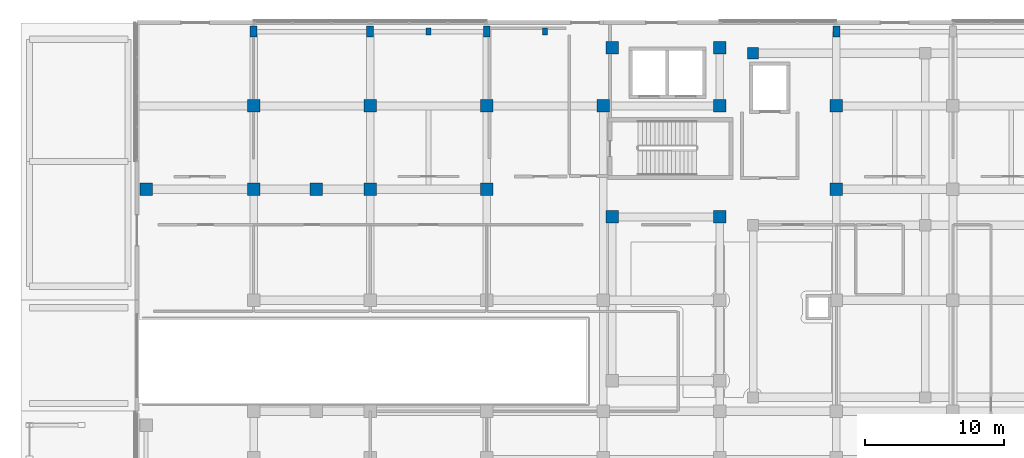
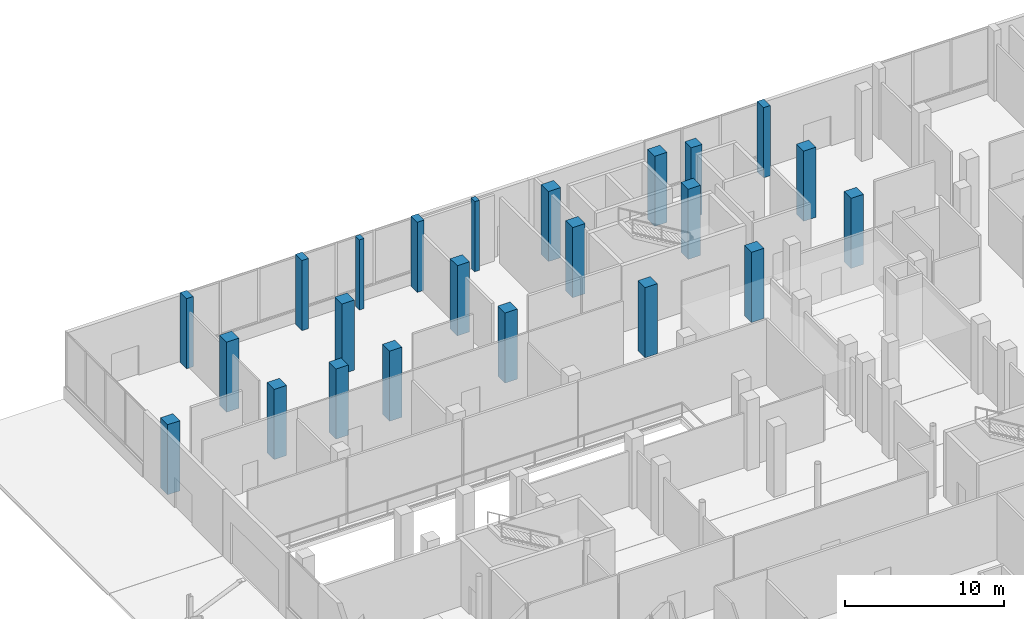
# One storey, part 10 of 158: 23 columns.
"""IFC4 building model written with IfcOpenShell, lengths in metres."""

import ifcopenshell
import ifcopenshell.guid

model = None  # the IFC model being written
_history = None  # IfcOwnerHistory: only IFC2X3 demands one
_inside = {}  # id of a spatial element -> (the spatial element, [elements in it])
_under = {}  # id of a project, library or spatial element -> (it, [spatial elements below it])
_declared = {}  # id of a project -> (the project, [libraries it declares])
_typed = {}  # id of a type object -> (the type object, [elements of that type])
_made_of = {}  # id of a material, layer set ... -> (it, [elements and type objects made of it])


def new_model(schema):
    """Start an empty IFC model of exactly this schema.

    Asked for "IFC4X3", IfcOpenShell would pick the latest addendum, in which some entities
    have other attributes; the version numbers below select the first issue.
    IFC2X3 requires an IfcOwnerHistory on every rooted entity: one is made here for all.
    """
    global model, _history
    if schema == "IFC4X3":
        model = ifcopenshell.file(schema_version=(4, 3, 0, 0))
    else:
        model = ifcopenshell.file(schema=schema)
    _inside.clear()
    _under.clear()
    _declared.clear()
    _typed.clear()
    _made_of.clear()
    _history = None
    if model.schema == "IFC2X3":
        org = make("IfcOrganization", Name="unknown")
        user = make(
            "IfcPersonAndOrganization",
            ThePerson=make("IfcPerson", FamilyName="unknown"),
            TheOrganization=org,
        )
        app = make(
            "IfcApplication",
            ApplicationDeveloper=org,
            Version="unknown",
            ApplicationFullName="unknown",
            ApplicationIdentifier="unknown",
        )
        _history = make(
            "IfcOwnerHistory",
            OwningUser=user,
            OwningApplication=app,
            ChangeAction="ADDED",
            CreationDate=0,
        )
    return model


def make(cls, **values):
    """One entity of the class cls with the attributes given. An attribute that is None is left unset."""
    return model.create_entity(
        cls, **{name: value for name, value in values.items() if value is not None}
    )


def rooted(cls, **values):
    """An entity with a GlobalId (a new one), such as an element, a storey or a relation."""
    return make(cls, GlobalId=ifcopenshell.guid.new(), OwnerHistory=_history, **values)


def si_unit(unit_type, name, prefix=None):
    """IfcSIUnit, for example si_unit("LENGTHUNIT", "METRE", prefix="MILLI")."""
    return make("IfcSIUnit", UnitType=unit_type, Prefix=prefix, Name=name)


def assignment(units):
    """IfcUnitAssignment: the units of a project."""
    return None if units is None else make("IfcUnitAssignment", Units=units)


def point(xyz):
    """IfcCartesianPoint."""
    return None if xyz is None else make("IfcCartesianPoint", Coordinates=xyz)


def direction(xyz):
    """IfcDirection."""
    return None if xyz is None else make("IfcDirection", DirectionRatios=xyz)


def frame(location, z_axis=None, x_axis=None):
    """IfcAxis2Placement3D, a coordinate frame: its origin and axes. An axis left out is left unset."""
    return make(
        "IfcAxis2Placement3D",
        Location=point(location),
        Axis=direction(z_axis),
        RefDirection=direction(x_axis),
    )


def frame_2d(location, x_axis=None):
    """IfcAxis2Placement2D, a coordinate frame in the plane: its origin and x axis."""
    return make(
        "IfcAxis2Placement2D", Location=point(location), RefDirection=direction(x_axis)
    )


def origin():
    """The frame at (0, 0, 0) with its axes left unset."""
    return frame((0.0, 0.0, 0.0))


def origin_2d():
    """The frame at (0, 0) in the plane with its x axis left unset."""
    return frame_2d((0.0, 0.0))


def place(relative_to, where):
    """IfcLocalPlacement: puts the frame where relative to a parent placement (None: the world)."""
    return make(
        "IfcLocalPlacement", PlacementRelTo=relative_to, RelativePlacement=where
    )


def context(
    kind, dimensions, precision=None, world=None, true_north=None, identifier=None
):
    """IfcGeometricRepresentationContext, for example the 3D "Model" context."""
    return make(
        "IfcGeometricRepresentationContext",
        ContextIdentifier=identifier,
        ContextType=kind,
        CoordinateSpaceDimension=dimensions,
        Precision=precision,
        WorldCoordinateSystem=world,
        TrueNorth=true_north,
    )


def subcontext(parent, identifier, kind, view, scale=None):
    """IfcGeometricRepresentationSubContext, for example "Body" below "Model"."""
    return make(
        "IfcGeometricRepresentationSubContext",
        ContextIdentifier=identifier,
        ContextType=kind,
        ParentContext=parent,
        TargetScale=scale,
        TargetView=view,
    )


def project(units=None, contexts=None):
    """IfcProject with its units and contexts."""
    return rooted(
        "IfcProject",
        Name="project",
        RepresentationContexts=contexts,
        UnitsInContext=assignment(units),
    )


def spatial(cls, under=None, at=None, **own):
    """A site, building, storey or space (cls), placed at a placement, below another one or the project."""
    s = rooted(cls, ObjectPlacement=at, **own)
    if under is not None:
        _under.setdefault(under.id(), (under, []))[1].append(s)
    return s


def profile(cls, at=None, kind="AREA", **sizes):
    """A parametric profile (cls). Its sizes go by their IFC names, for example OverallWidth=200.0."""
    return make(cls, ProfileType=kind, Position=at, **sizes)


def rectangle(**sizes):
    """IfcRectangleProfileDef."""
    return profile("IfcRectangleProfileDef", **sizes)


def extrude(swept, where, along, depth):
    """IfcExtrudedAreaSolid: the profile swept, set in the frame where, extruded along a direction by depth."""
    return make(
        "IfcExtrudedAreaSolid",
        SweptArea=swept,
        Position=where,
        ExtrudedDirection=direction(along),
        Depth=depth,
    )


def shape(context_of_items, identifier, shape_type, items):
    """IfcShapeRepresentation: the items that make up one representation, for example the "Body"."""
    return make(
        "IfcShapeRepresentation",
        ContextOfItems=context_of_items,
        RepresentationIdentifier=identifier,
        RepresentationType=shape_type,
        Items=items,
    )


def material(Name=None, Category=None):
    """IfcMaterial."""
    return make("IfcMaterial", Name=Name, Category=Category)


def material_profile(
    of_material, cross_section, Name=None, Category=None, Priority=None
):
    """IfcMaterialProfile: a cross section and its material."""
    return make(
        "IfcMaterialProfile",
        Name=Name,
        Material=of_material,
        Profile=cross_section,
        Priority=Priority,
        Category=Category,
    )


def profile_set(profiles, Name=None, composite=None):
    """IfcMaterialProfileSet."""
    return make(
        "IfcMaterialProfileSet",
        Name=Name,
        MaterialProfiles=profiles,
        CompositeProfile=composite,
    )


def made_of(thing, what):
    """Note that an element or type object is made of a material, layer set ...; save() writes the relation."""
    if what is not None:
        _made_of.setdefault(what.id(), (what, []))[1].append(thing)
    return thing


def type_object(cls, material=None, **own):
    """A type object (cls), such as IfcWallType, which elements share."""
    return made_of(rooted(cls, **own), material)


def element(
    cls,
    number,
    at=None,
    inside=None,
    cuts=None,
    type_object=None,
    material=None,
    context=None,
    identifier="Body",
    shape_type=None,
    held_by="IfcProductDefinitionShape",
    body=None,
    shapes=None,
    **own,
):
    """One element of the class cls, such as IfcWall. Its Tag is "e" and its number.

    at: its placement. inside: the storey or other place that contains it. cuts: it is an
    opening in that element (IfcRelVoidsElement). A single representation is given by context,
    identifier, shape_type and body (its items); several are given by shapes. held_by: the class
    of the entity that holds the representations. save() writes the other relations.
    """
    e = rooted(cls, Tag="e%d" % number, ObjectPlacement=at, **own)
    if body is not None:
        shapes = [shape(context, identifier, shape_type, body)]
    if shapes is not None:
        e.Representation = make(held_by, Representations=shapes)
    if inside is not None:
        _inside.setdefault(inside.id(), (inside, []))[1].append(e)
    if cuts is not None:
        rooted(
            "IfcRelVoidsElement", RelatingBuildingElement=cuts, RelatedOpeningElement=e
        )
    if type_object is not None:
        _typed.setdefault(type_object.id(), (type_object, []))[1].append(e)
    return made_of(e, material)


def aggregate(whole, parts):
    """IfcRelAggregates: a whole, such as a stair, and the parts it consists of."""
    return rooted("IfcRelAggregates", RelatingObject=whole, RelatedObjects=parts)


def save(model, path):
    """Write the relations noted so far, then the file.

    IfcRelAggregates (storeys below a building ...), IfcRelContainedInSpatialStructure (elements
    in a storey), IfcRelDefinesByType, IfcRelAssociatesMaterial and IfcRelDeclares: one each for
    every whole, place, type object, material and project.
    """
    for whole, parts in _under.values():
        aggregate(whole, parts)
    for where, things in _inside.values():
        rooted(
            "IfcRelContainedInSpatialStructure",
            RelatedElements=things,
            RelatingStructure=where,
        )
    for kind, things in _typed.values():
        rooted("IfcRelDefinesByType", RelatedObjects=things, RelatingType=kind)
    for what, things in _made_of.values():
        rooted("IfcRelAssociatesMaterial", RelatedObjects=things, RelatingMaterial=what)
    for by, libraries in _declared.values():
        rooted("IfcRelDeclares", RelatingContext=by, RelatedDefinitions=libraries)
    model.write(path)


model = new_model("IFC4")

# Units and contexts
model_context = context("Model", 3, precision=1e-05, world=origin(), true_north=direction((0.0, 1.0)))
body_context = subcontext(model_context, "Body", "Model", "MODEL_VIEW")
ifc_project = project(units=[si_unit("LENGTHUNIT", "METRE"), si_unit("AREAUNIT", "SQUARE_METRE"), si_unit("VOLUMEUNIT", "CUBIC_METRE"), si_unit("PLANEANGLEUNIT", "RADIAN"), si_unit("MASSUNIT", "GRAM", prefix="KILO")], contexts=[model_context])

# Site, building, storey
site_placement = place(None, origin())
site = spatial("IfcSite", under=ifc_project, at=site_placement, CompositionType="ELEMENT")
building_placement = place(site_placement, origin())
building = spatial("IfcBuilding", under=site, at=building_placement, Name="Selatvlak General Hospital", CompositionType="ELEMENT")
storey_placement = place(building_placement, origin())
storey = spatial("IfcBuildingStorey", under=building, at=storey_placement, Name="L00", CompositionType="ELEMENT", Elevation=0.0)

# Columns
ifc_material_1 = material(Name="Concrete C40/50", Category="concrete")
ifc_material_profile_1 = material_profile(ifc_material_1, rectangle(XDim=0.35009765625, YDim=0.5, at=origin_2d()), Name="RC-PIL 500x350")
ifc_profile_set_1 = profile_set([ifc_material_profile_1], Name="Concrete C40/50")
column_type_1 = type_object("IfcColumnType", Name="COL-PIL50", PredefinedType="PILASTER", material=ifc_profile_set_1)
for number, where, z_axis, x_axis, name in (
    (1, (35.39990234375, 119.35009765625, 0.0), (0.0, 0.0, 1.0), (1.0, 0.0, 0.0), "Inboard core pilaster 1 on L00"),
    (2, (43.800048828125, 119.35009765625, 0.0), (0.0, 0.0, 1.0), (1.0, 0.0, 0.0), "Inboard core pilaster 2 on L00"),
):
    element("IfcColumn", number, at=place(storey_placement, frame(where, z_axis=z_axis, x_axis=x_axis)), inside=storey, type_object=column_type_1, Name=name, PredefinedType="PILASTER", context=body_context, shape_type="SweptSolid", body=[
        extrude(rectangle(XDim=0.35009765625, YDim=0.5, at=origin_2d()), origin(), (0.0, 0.0, 1.0), 5.39990234375),
    ])
ifc_material_2 = material(Name="Concrete C50/60", Category="concrete")
ifc_material_profile_2 = material_profile(ifc_material_2, rectangle(XDim=0.800048828125, YDim=0.800048828125, at=origin_2d()), Name="RC-COL 800x800")
ifc_profile_set_2 = profile_set([ifc_material_profile_2], Name="Concrete C50/60")
column_type_2 = type_object("IfcColumnType", Name="COL-RC80", PredefinedType="COLUMN", material=ifc_profile_set_2)
column_placement = place(storey_placement, frame((58.800048828125, 117.800048828125, 0.0), z_axis=(0.0, 0.0, 1.0), x_axis=(1.0, 0.0, 0.0)))
element("IfcColumn", 3, at=column_placement, inside=storey, type_object=column_type_2, Name="Column 039 on L00", PredefinedType="COLUMN", context=body_context, shape_type="SweptSolid", body=[
    extrude(rectangle(XDim=0.800048828125, YDim=0.800048828125, at=origin_2d()), origin(), (0.0, 0.0, 1.0), 5.39990234375),
])
ifc_material_profile_3 = material_profile(ifc_material_2, rectangle(XDim=0.5, YDim=0.800048828125, at=origin_2d()), Name="RC-COL 800x500")
ifc_profile_set_3 = profile_set([ifc_material_profile_3], Name="Concrete C50/60")
column_type_3 = type_object("IfcColumnType", Name="COL-RC85", PredefinedType="COLUMN", material=ifc_profile_set_3)
for number, where, z_axis, x_axis, name in (
    (4, (22.800048828125, 119.35009765625, 0.0), (0.0, 0.0, 1.0), (1.0, 0.0, 0.0), "Column 163 on L00"),
    (5, (31.199951171875, 119.35009765625, 0.0), (0.0, 0.0, 1.0), (1.0, 0.0, 0.0), "Column 169 on L00"),
    (6, (39.60009765625, 119.35009765625, 0.0), (0.0, 0.0, 1.0), (1.0, 0.0, 0.0), "Column 175 on L00"),
    (7, (64.800048828125, 119.35009765625, 0.0), (0.0, 0.0, 1.0), (1.0, 0.0, 0.0), "Column 191 on L00"),
):
    element("IfcColumn", number, at=place(storey_placement, frame(where, z_axis=z_axis, x_axis=x_axis)), inside=storey, type_object=column_type_3, Name=name, PredefinedType="COLUMN", context=body_context, shape_type="SweptSolid", body=[
        extrude(rectangle(XDim=0.5, YDim=0.800048828125, at=origin_2d()), origin(), (0.0, 0.0, 1.0), 5.39990234375),
    ])
ifc_material_profile_4 = material_profile(ifc_material_2, rectangle(XDim=0.89990234375, YDim=0.89990234375, at=origin_2d()), Name="RC-COL 900x900")
ifc_profile_set_4 = profile_set([ifc_material_profile_4], Name="Concrete C50/60")
column_type_4 = type_object("IfcColumnType", Name="COL-RC90", PredefinedType="COLUMN", material=ifc_profile_set_4)
for number, where, z_axis, x_axis, name in (
    (8, (48.64990234375, 106.0, 0.0), (0.0, 0.0, 1.0), (1.0, 0.0, 0.0), "Column 048 on L00"),
    (9, (56.39990234375, 106.0, 0.0), (0.0, 0.0, 1.0), (1.0, 0.0, 0.0), "Column 049 on L00"),
    (10, (48.64990234375, 118.199951171875, 0.0), (0.0, 0.0, 1.0), (1.0, 0.0, 0.0), "Column 050 on L00"),
    (11, (56.39990234375, 118.199951171875, 0.0), (0.0, 0.0, 1.0), (1.0, 0.0, 0.0), "Column 051 on L00"),
    (12, (27.300048828125, 108.0, 0.0), (0.0, 0.0, 1.0), (1.0, 0.0, 0.0), "Column 112 on L00"),
    (13, (15.050048828125, 108.0, 0.0), (0.0, 0.0, 1.0), (1.0, 0.0, 0.0), "Column 156 on L00"),
    (14, (22.800048828125, 108.0, 0.0), (0.0, 0.0, 1.0), (1.0, 0.0, 0.0), "Column 161 on L00"),
    (15, (22.800048828125, 114.0, 0.0), (0.0, 0.0, 1.0), (1.0, 0.0, 0.0), "Column 162 on L00"),
    (16, (31.199951171875, 108.0, 0.0), (0.0, 0.0, 1.0), (1.0, 0.0, 0.0), "Column 167 on L00"),
    (17, (31.199951171875, 114.0, 0.0), (0.0, 0.0, 1.0), (1.0, 0.0, 0.0), "Column 168 on L00"),
    (18, (39.60009765625, 108.0, 0.0), (0.0, 0.0, 1.0), (1.0, 0.0, 0.0), "Column 173 on L00"),
    (19, (39.60009765625, 114.0, 0.0), (0.0, 0.0, 1.0), (1.0, 0.0, 0.0), "Column 174 on L00"),
    (20, (48.0, 114.0, 0.0), (0.0, 0.0, 1.0), (1.0, 0.0, 0.0), "Column 180 on L00"),
    (21, (56.39990234375, 114.0, 0.0), (0.0, 0.0, 1.0), (1.0, 0.0, 0.0), "Column 184 on L00"),
    (22, (64.800048828125, 108.0, 0.0), (0.0, 0.0, 1.0), (1.0, 0.0, 0.0), "Column 189 on L00"),
    (23, (64.800048828125, 114.0, 0.0), (0.0, 0.0, 1.0), (1.0, 0.0, 0.0), "Column 190 on L00"),
):
    element("IfcColumn", number, at=place(storey_placement, frame(where, z_axis=z_axis, x_axis=x_axis)), inside=storey, type_object=column_type_4, Name=name, PredefinedType="COLUMN", context=body_context, shape_type="SweptSolid", body=[
        extrude(rectangle(XDim=0.89990234375, YDim=0.89990234375, at=origin_2d()), origin(), (0.0, 0.0, 1.0), 5.39990234375),
    ])

save(model, "model.ifc")
